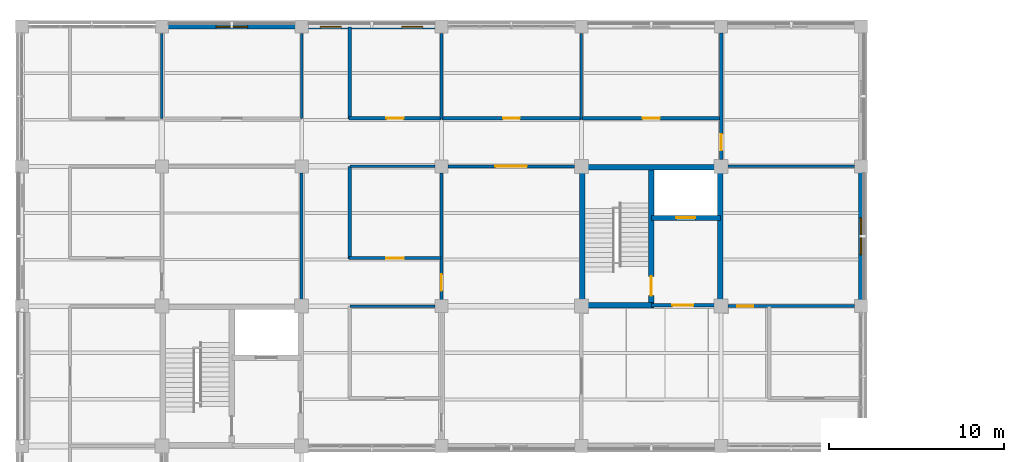
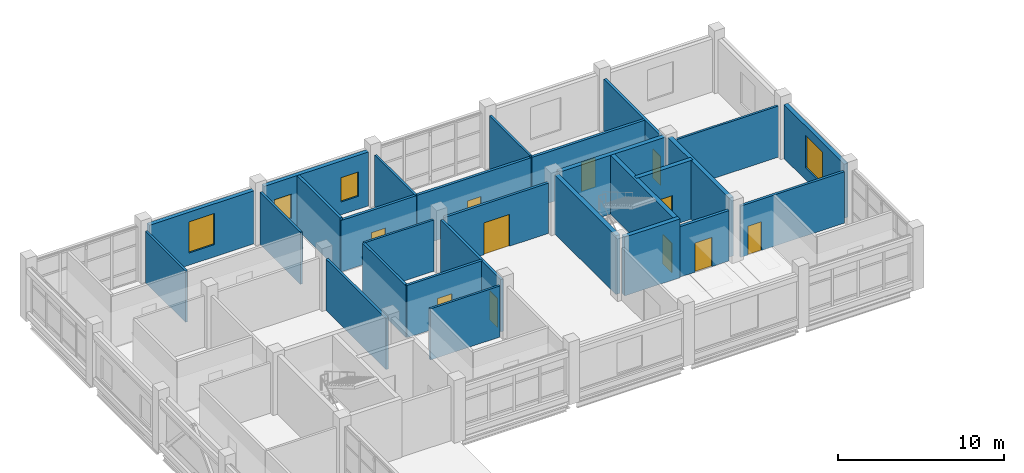
# One storey, part 87 of 121: 28 walls, 11 doors, 4 windows, 15 openings.
"""IFC4 building model written with IfcOpenShell, lengths in metres."""

import ifcopenshell
import ifcopenshell.guid

model = None  # the IFC model being written
_history = None  # IfcOwnerHistory: only IFC2X3 demands one
_inside = {}  # id of a spatial element -> (the spatial element, [elements in it])
_under = {}  # id of a project, library or spatial element -> (it, [spatial elements below it])
_declared = {}  # id of a project -> (the project, [libraries it declares])
_typed = {}  # id of a type object -> (the type object, [elements of that type])
_made_of = {}  # id of a material, layer set ... -> (it, [elements and type objects made of it])


def new_model(schema):
    """Start an empty IFC model of exactly this schema.

    Asked for "IFC4X3", IfcOpenShell would pick the latest addendum, in which some entities
    have other attributes; the version numbers below select the first issue.
    IFC2X3 requires an IfcOwnerHistory on every rooted entity: one is made here for all.
    """
    global model, _history
    if schema == "IFC4X3":
        model = ifcopenshell.file(schema_version=(4, 3, 0, 0))
    else:
        model = ifcopenshell.file(schema=schema)
    _inside.clear()
    _under.clear()
    _declared.clear()
    _typed.clear()
    _made_of.clear()
    _history = None
    if model.schema == "IFC2X3":
        org = make("IfcOrganization", Name="unknown")
        user = make(
            "IfcPersonAndOrganization",
            ThePerson=make("IfcPerson", FamilyName="unknown"),
            TheOrganization=org,
        )
        app = make(
            "IfcApplication",
            ApplicationDeveloper=org,
            Version="unknown",
            ApplicationFullName="unknown",
            ApplicationIdentifier="unknown",
        )
        _history = make(
            "IfcOwnerHistory",
            OwningUser=user,
            OwningApplication=app,
            ChangeAction="ADDED",
            CreationDate=0,
        )
    return model


def make(cls, **values):
    """One entity of the class cls with the attributes given. An attribute that is None is left unset."""
    return model.create_entity(
        cls, **{name: value for name, value in values.items() if value is not None}
    )


def rooted(cls, **values):
    """An entity with a GlobalId (a new one), such as an element, a storey or a relation."""
    return make(cls, GlobalId=ifcopenshell.guid.new(), OwnerHistory=_history, **values)


def si_unit(unit_type, name, prefix=None):
    """IfcSIUnit, for example si_unit("LENGTHUNIT", "METRE", prefix="MILLI")."""
    return make("IfcSIUnit", UnitType=unit_type, Prefix=prefix, Name=name)


def derived_unit(unit_type, elements):
    """IfcDerivedUnit: a product of units, each with its exponent."""
    return make(
        "IfcDerivedUnit",
        Elements=[
            make("IfcDerivedUnitElement", Unit=unit, Exponent=power)
            for unit, power in elements
        ],
        UnitType=unit_type,
    )


def assignment(units):
    """IfcUnitAssignment: the units of a project."""
    return None if units is None else make("IfcUnitAssignment", Units=units)


def point(xyz):
    """IfcCartesianPoint."""
    return None if xyz is None else make("IfcCartesianPoint", Coordinates=xyz)


def direction(xyz):
    """IfcDirection."""
    return None if xyz is None else make("IfcDirection", DirectionRatios=xyz)


def frame(location, z_axis=None, x_axis=None):
    """IfcAxis2Placement3D, a coordinate frame: its origin and axes. An axis left out is left unset."""
    return make(
        "IfcAxis2Placement3D",
        Location=point(location),
        Axis=direction(z_axis),
        RefDirection=direction(x_axis),
    )


def frame_2d(location, x_axis=None):
    """IfcAxis2Placement2D, a coordinate frame in the plane: its origin and x axis."""
    return make(
        "IfcAxis2Placement2D", Location=point(location), RefDirection=direction(x_axis)
    )


def origin():
    """The frame at (0, 0, 0) with its axes left unset."""
    return frame((0.0, 0.0, 0.0))


def place(relative_to, where):
    """IfcLocalPlacement: puts the frame where relative to a parent placement (None: the world)."""
    return make(
        "IfcLocalPlacement", PlacementRelTo=relative_to, RelativePlacement=where
    )


def context(
    kind, dimensions, precision=None, world=None, true_north=None, identifier=None
):
    """IfcGeometricRepresentationContext, for example the 3D "Model" context."""
    return make(
        "IfcGeometricRepresentationContext",
        ContextIdentifier=identifier,
        ContextType=kind,
        CoordinateSpaceDimension=dimensions,
        Precision=precision,
        WorldCoordinateSystem=world,
        TrueNorth=true_north,
    )


def subcontext(parent, identifier, kind, view, scale=None):
    """IfcGeometricRepresentationSubContext, for example "Body" below "Model"."""
    return make(
        "IfcGeometricRepresentationSubContext",
        ContextIdentifier=identifier,
        ContextType=kind,
        ParentContext=parent,
        TargetScale=scale,
        TargetView=view,
    )


def project(units=None, contexts=None):
    """IfcProject with its units and contexts."""
    return rooted(
        "IfcProject",
        Name="project",
        RepresentationContexts=contexts,
        UnitsInContext=assignment(units),
    )


def spatial(cls, under=None, at=None, **own):
    """A site, building, storey or space (cls), placed at a placement, below another one or the project."""
    s = rooted(cls, ObjectPlacement=at, **own)
    if under is not None:
        _under.setdefault(under.id(), (under, []))[1].append(s)
    return s


def profile(cls, at=None, kind="AREA", **sizes):
    """A parametric profile (cls). Its sizes go by their IFC names, for example OverallWidth=200.0."""
    return make(cls, ProfileType=kind, Position=at, **sizes)


def rectangle(**sizes):
    """IfcRectangleProfileDef."""
    return profile("IfcRectangleProfileDef", **sizes)


def extrude(swept, where, along, depth):
    """IfcExtrudedAreaSolid: the profile swept, set in the frame where, extruded along a direction by depth."""
    return make(
        "IfcExtrudedAreaSolid",
        SweptArea=swept,
        Position=where,
        ExtrudedDirection=direction(along),
        Depth=depth,
    )


def shape(context_of_items, identifier, shape_type, items):
    """IfcShapeRepresentation: the items that make up one representation, for example the "Body"."""
    return make(
        "IfcShapeRepresentation",
        ContextOfItems=context_of_items,
        RepresentationIdentifier=identifier,
        RepresentationType=shape_type,
        Items=items,
    )


def material(Name=None, Category=None):
    """IfcMaterial."""
    return make("IfcMaterial", Name=Name, Category=Category)


def layer(
    of_material, thickness, ventilated=None, Name=None, Category=None, Priority=None
):
    """IfcMaterialLayer: one layer of a wall or slab, of a material (None: an air gap)."""
    return make(
        "IfcMaterialLayer",
        Material=of_material,
        LayerThickness=thickness,
        IsVentilated=ventilated,
        Name=Name,
        Category=Category,
        Priority=Priority,
    )


def layer_set(layers, Name=None):
    """IfcMaterialLayerSet."""
    return make("IfcMaterialLayerSet", MaterialLayers=layers, LayerSetName=Name)


def made_of(thing, what):
    """Note that an element or type object is made of a material, layer set ...; save() writes the relation."""
    if what is not None:
        _made_of.setdefault(what.id(), (what, []))[1].append(thing)
    return thing


def type_object(cls, material=None, **own):
    """A type object (cls), such as IfcWallType, which elements share."""
    return made_of(rooted(cls, **own), material)


def element(
    cls,
    number,
    at=None,
    inside=None,
    cuts=None,
    type_object=None,
    material=None,
    context=None,
    identifier="Body",
    shape_type=None,
    held_by="IfcProductDefinitionShape",
    body=None,
    shapes=None,
    **own,
):
    """One element of the class cls, such as IfcWall. Its Tag is "e" and its number.

    at: its placement. inside: the storey or other place that contains it. cuts: it is an
    opening in that element (IfcRelVoidsElement). A single representation is given by context,
    identifier, shape_type and body (its items); several are given by shapes. held_by: the class
    of the entity that holds the representations. save() writes the other relations.
    """
    e = rooted(cls, Tag="e%d" % number, ObjectPlacement=at, **own)
    if body is not None:
        shapes = [shape(context, identifier, shape_type, body)]
    if shapes is not None:
        e.Representation = make(held_by, Representations=shapes)
    if inside is not None:
        _inside.setdefault(inside.id(), (inside, []))[1].append(e)
    if cuts is not None:
        rooted(
            "IfcRelVoidsElement", RelatingBuildingElement=cuts, RelatedOpeningElement=e
        )
    if type_object is not None:
        _typed.setdefault(type_object.id(), (type_object, []))[1].append(e)
    return made_of(e, material)


def fill(opening, filler):
    """IfcRelFillsElement: the door or window that sits in an opening."""
    return rooted(
        "IfcRelFillsElement",
        RelatingOpeningElement=opening,
        RelatedBuildingElement=filler,
    )


def aggregate(whole, parts):
    """IfcRelAggregates: a whole, such as a stair, and the parts it consists of."""
    return rooted("IfcRelAggregates", RelatingObject=whole, RelatedObjects=parts)


def save(model, path):
    """Write the relations noted so far, then the file.

    IfcRelAggregates (storeys below a building ...), IfcRelContainedInSpatialStructure (elements
    in a storey), IfcRelDefinesByType, IfcRelAssociatesMaterial and IfcRelDeclares: one each for
    every whole, place, type object, material and project.
    """
    for whole, parts in _under.values():
        aggregate(whole, parts)
    for where, things in _inside.values():
        rooted(
            "IfcRelContainedInSpatialStructure",
            RelatedElements=things,
            RelatingStructure=where,
        )
    for kind, things in _typed.values():
        rooted("IfcRelDefinesByType", RelatedObjects=things, RelatingType=kind)
    for what, things in _made_of.values():
        rooted("IfcRelAssociatesMaterial", RelatedObjects=things, RelatingMaterial=what)
    for by, libraries in _declared.values():
        rooted("IfcRelDeclares", RelatingContext=by, RelatedDefinitions=libraries)
    model.write(path)


model = new_model("IFC4")

# Units and contexts
model_context = context("Model", 3, precision=1e-05, world=origin(), true_north=direction((0.0, 1.0)))
body_context = subcontext(model_context, "Body", "Model", "MODEL_VIEW")
ifc_project = project(units=[si_unit("LENGTHUNIT", "METRE"), si_unit("AREAUNIT", "SQUARE_METRE"), si_unit("VOLUMEUNIT", "CUBIC_METRE"), si_unit("PLANEANGLEUNIT", "RADIAN"), si_unit("MASSUNIT", "GRAM", prefix="KILO"), derived_unit("THERMALTRANSMITTANCEUNIT", [(si_unit("MASSUNIT", "GRAM", prefix="KILO"), 1), (si_unit("TIMEUNIT", "SECOND"), -3), (si_unit("THERMODYNAMICTEMPERATUREUNIT", "KELVIN"), -1)])], contexts=[model_context])

# Site, building, storey
site_placement = place(None, origin())
site = spatial("IfcSite", under=ifc_project, at=site_placement, CompositionType="ELEMENT")
building_placement = place(site_placement, origin())
building = spatial("IfcBuilding", under=site, at=building_placement, Name="Veyamyaing Civic Hall", CompositionType="ELEMENT")
storey_placement = place(building_placement, frame((0.0, 0.0, 5.280029296875)))
storey = spatial("IfcBuildingStorey", under=building, at=storey_placement, Name="L01", CompositionType="ELEMENT", Elevation=5.280029296875)

# Wall, opening, window
ifc_material_1 = material(Name="Precast concrete C40/50", Category="concrete")
ifc_layer_1 = layer(ifc_material_1, 0.280029296875, Name="Precast concrete C40/50")
ifc_layer_set_1 = layer_set([ifc_layer_1], Name="Precast concrete C40/50")
wall_type_1 = type_object("IfcWallType", Name="WT-04", PredefinedType="SOLIDWALL", material=ifc_layer_set_1)
wall_1_placement = place(storey_placement, frame((8.360107421875, 112.0, 0.0), z_axis=(0.0, 0.0, 1.0), x_axis=(1.0, 0.0, 0.0)))
wall_1 = element("IfcWall", 1, at=wall_1_placement, inside=storey, type_object=wall_type_1, Name="Exterior facade wall WT-04 L01 N 2.14", PredefinedType="SOLIDWALL", context=body_context, shape_type="SweptSolid", body=[
    extrude(rectangle(XDim=7.27978515625, YDim=0.280029296875, at=frame_2d((3.639892578125, 0.0))), origin(), (0.0, 0.0, 1.0), 3.909912109375),
])
opening_1_placement = place(wall_1_placement, frame((2.739990234375, 0.0, 0.89990234375)))
opening_1 = element("IfcOpeningElement", 2, at=opening_1_placement, cuts=wall_1, Name="Opening W-06", PredefinedType="OPENING", context=body_context, shape_type="SweptSolid", body=[
    extrude(rectangle(XDim=1.800048828125, YDim=2.300048828125, at=frame_2d((0.89990234375, 1.14990234375))), frame((0.0, 0.14990234375, 0.0), z_axis=(0.0, -1.0, 0.0), x_axis=(1.0, 0.0, 0.0)), (0.0, 0.0, 1.0), 0.300048828125),
])
ifc_material_2 = material(Name="Low-E insulated glass", Category="glass")
window_type_1 = type_object("IfcWindowType", Name="W-06", PartitioningType="SINGLE_PANEL", PredefinedType="WINDOW", material=ifc_material_2)
window_1_placement = place(opening_1_placement, origin())
window_1 = element("IfcWindow", 3, at=window_1_placement, inside=storey, type_object=window_type_1, Name="Facade window W-06 L01 N 2.14", OverallHeight=2.300048828125, OverallWidth=1.800048828125, PartitioningType="SINGLE_PANEL", PredefinedType="WINDOW", context=body_context, shape_type="SweptSolid", body=[
    extrude(rectangle(XDim=1.800048828125, YDim=2.300048828125, at=frame_2d((0.89990234375, 1.14990234375))), frame((0.0, 0.030029296875, 0.0), z_axis=(0.0, -1.0, 0.0), x_axis=(1.0, 0.0, 0.0)), (0.0, 0.0, 1.0), 0.06005859375),
])
fill(opening_1, window_1)

# Wall, openings, windows
wall_2_placement = place(storey_placement, frame((16.360107421875, 112.0, 0.0), z_axis=(0.0, 0.0, 1.0), x_axis=(1.0, 0.0, 0.0)))
wall_2 = element("IfcWall", 4, at=wall_2_placement, inside=storey, type_object=wall_type_1, Name="Exterior facade wall WT-04 L01 N 3.14", PredefinedType="SOLIDWALL", context=body_context, shape_type="SweptSolid", body=[
    extrude(rectangle(XDim=7.27978515625, YDim=0.280029296875, at=frame_2d((3.639892578125, 0.0))), origin(), (0.0, 0.0, 1.0), 3.973876953125),
])
opening_2_placement = place(wall_2_placement, frame((0.71044921875, 0.0, 0.949951171875)))
opening_2 = element("IfcOpeningElement", 5, at=opening_2_placement, cuts=wall_2, Name="Opening W-14", PredefinedType="OPENING", context=body_context, shape_type="SweptSolid", body=[
    extrude(rectangle(XDim=1.199951171875, YDim=1.800048828125, at=frame_2d((0.60009765625, 0.89990234375))), frame((0.0, 0.14990234375, 0.0), z_axis=(0.0, -1.0, 0.0), x_axis=(1.0, 0.0, 0.0)), (0.0, 0.0, 1.0), 0.300048828125),
])
opening_3_placement = place(wall_2_placement, frame((5.36962890625, 0.0, 0.949951171875)))
opening_3 = element("IfcOpeningElement", 6, at=opening_3_placement, cuts=wall_2, Name="Opening W-14", PredefinedType="OPENING", context=body_context, shape_type="SweptSolid", body=[
    extrude(rectangle(XDim=1.199951171875, YDim=1.800048828125, at=frame_2d((0.60009765625, 0.89990234375))), frame((0.0, 0.14990234375, 0.0), z_axis=(0.0, -1.0, 0.0), x_axis=(1.0, 0.0, 0.0)), (0.0, 0.0, 1.0), 0.300048828125),
])
window_type_2 = type_object("IfcWindowType", Name="W-14", PartitioningType="SINGLE_PANEL", PredefinedType="WINDOW", material=ifc_material_2)
window_2_placement = place(opening_2_placement, origin())
window_2 = element("IfcWindow", 7, at=window_2_placement, inside=storey, type_object=window_type_2, Name="Facade window W-14 L01 N 3.14.1", OverallHeight=1.800048828125, OverallWidth=1.199951171875, PartitioningType="SINGLE_PANEL", PredefinedType="WINDOW", context=body_context, shape_type="SweptSolid", body=[
    extrude(rectangle(XDim=1.199951171875, YDim=1.800048828125, at=frame_2d((0.60009765625, 0.89990234375))), frame((0.0, 0.030029296875, 0.0), z_axis=(0.0, -1.0, 0.0), x_axis=(1.0, 0.0, 0.0)), (0.0, 0.0, 1.0), 0.06005859375),
])
fill(opening_2, window_2)
window_3_placement = place(opening_3_placement, origin())
window_3 = element("IfcWindow", 8, at=window_3_placement, inside=storey, type_object=window_type_2, Name="Facade window W-14 L01 N 3.14.2", OverallHeight=1.800048828125, OverallWidth=1.199951171875, PartitioningType="SINGLE_PANEL", PredefinedType="WINDOW", context=body_context, shape_type="SweptSolid", body=[
    extrude(rectangle(XDim=1.199951171875, YDim=1.800048828125, at=frame_2d((0.60009765625, 0.89990234375))), frame((0.0, 0.030029296875, 0.0), z_axis=(0.0, -1.0, 0.0), x_axis=(1.0, 0.0, 0.0)), (0.0, 0.0, 1.0), 0.06005859375),
])
fill(opening_3, window_3)

# Wall, opening, window
wall_3_placement = place(storey_placement, frame((48.0, 96.360107421875, 0.0), z_axis=(0.0, 0.0, 1.0), x_axis=(0.0, 1.0, 0.0)))
wall_3 = element("IfcWall", 9, at=wall_3_placement, inside=storey, type_object=wall_type_1, Name="Exterior facade wall WT-04 L01 E 6.13", PredefinedType="SOLIDWALL", context=body_context, shape_type="SweptSolid", body=[
    extrude(rectangle(XDim=7.27978515625, YDim=0.280029296875, at=frame_2d((3.639892578125, 0.0))), origin(), (0.0, 0.0, 1.0), 3.97705078125),
])
opening_4_placement = place(wall_3_placement, frame((2.590087890625, 0.0, 0.89990234375)))
opening_4 = element("IfcOpeningElement", 10, at=opening_4_placement, cuts=wall_3, Name="Opening W-05", PredefinedType="OPENING", context=body_context, shape_type="SweptSolid", body=[
    extrude(rectangle(XDim=2.10009765625, YDim=2.39990234375, at=frame_2d((1.050048828125, 1.199951171875))), frame((0.0, 0.14990234375, 0.0), z_axis=(0.0, -1.0, 0.0), x_axis=(1.0, 0.0, 0.0)), (0.0, 0.0, 1.0), 0.300048828125),
])
window_type_3 = type_object("IfcWindowType", Name="W-05", PartitioningType="SINGLE_PANEL", PredefinedType="WINDOW", material=ifc_material_2)
window_4_placement = place(opening_4_placement, origin())
window_4 = element("IfcWindow", 11, at=window_4_placement, inside=storey, type_object=window_type_3, Name="Facade window W-05 L01 E 6.13", OverallHeight=2.39990234375, OverallWidth=2.10009765625, PartitioningType="SINGLE_PANEL", PredefinedType="WINDOW", context=body_context, shape_type="SweptSolid", body=[
    extrude(rectangle(XDim=2.10009765625, YDim=2.39990234375, at=frame_2d((1.050048828125, 1.199951171875))), frame((0.0, 0.030029296875, 0.0), z_axis=(0.0, -1.0, 0.0), x_axis=(1.0, 0.0, 0.0)), (0.0, 0.0, 1.0), 0.06005859375),
])
fill(opening_4, window_4)

# Walls
ifc_material_3 = material(Name="Concrete C40/50", Category="concrete")
ifc_layer_2 = layer(ifc_material_3, 0.300048828125, Name="Concrete C40/50")
ifc_layer_set_2 = layer_set([ifc_layer_2], Name="Concrete C40/50")
wall_type_2 = type_object("IfcWallType", Name="WT-05", PredefinedType="SHEAR", material=ifc_layer_set_2)
for number, where, z_axis, x_axis, name in (
    (12, (32.050048828125, 96.2900390625, 0.0), (0.0, 0.0, 1.0), (0.0, 1.0, 0.0), "Core shear wall WT-05 CORE-2 L01.W"),
    (13, (32.2900390625, 103.949951171875, 0.0), (0.0, 0.0, 1.0), (1.0, 0.0, 0.0), "Core shear wall WT-05 CORE-2 L01.N"),
    (14, (39.949951171875, 96.2900390625, 0.0), (0.0, 0.0, 1.0), (0.0, 1.0, 0.0), "Core shear wall WT-05 CORE-2 L01.E"),
):
    element("IfcWall", number, at=place(storey_placement, frame(where, z_axis=z_axis, x_axis=x_axis)), inside=storey, type_object=wall_type_2, Name=name, PredefinedType="SHEAR", context=body_context, shape_type="SweptSolid", body=[
        extrude(rectangle(XDim=7.419921875, YDim=0.300048828125, at=frame_2d((3.7099609375, 0.0))), origin(), (0.0, 0.0, 1.0), 4.3349609375),
    ])
wall_4_placement = place(storey_placement, frame((32.2900390625, 96.050048828125, 0.0), z_axis=(0.0, 0.0, 1.0), x_axis=(1.0, 0.0, 0.0)))
element("IfcWall", 15, at=wall_4_placement, inside=storey, type_object=wall_type_2, Name="Core shear wall WT-05 CORE-2 L01.SS", PredefinedType="SHEAR", context=body_context, shape_type="SweptSolid", body=[
    extrude(rectangle(XDim=3.85986328125, YDim=0.300048828125, at=frame_2d((1.929931640625, 0.0))), origin(), (0.0, 0.0, 1.0), 4.3349609375),
])

# Wall, opening, door
wall_5_placement = place(storey_placement, frame((36.0, 96.050048828125, 0.0), z_axis=(0.0, 0.0, 1.0), x_axis=(0.0, 1.0, 0.0)))
wall_5 = element("IfcWall", 16, at=wall_5_placement, inside=storey, type_object=wall_type_2, Name="Core shear wall WT-05 CORE-2 L01.MID", PredefinedType="SHEAR", context=body_context, shape_type="SweptSolid", body=[
    extrude(rectangle(XDim=7.89990234375, YDim=0.300048828125, at=frame_2d((3.949951171875, 0.0))), origin(), (0.0, 0.0, 1.0), 4.3349609375),
])
opening_5_placement = place(wall_5_placement, frame((0.550048828125, 0.0, 0.0)))
opening_5 = element("IfcOpeningElement", 17, at=opening_5_placement, cuts=wall_5, Name="Opening D-03", PredefinedType="OPENING", context=body_context, shape_type="SweptSolid", body=[
    extrude(rectangle(XDim=1.10009765625, YDim=2.14990234375, at=frame_2d((0.550048828125, 1.074951171875))), frame((0.0, 0.159912109375, 0.0), z_axis=(0.0, -1.0, 0.0), x_axis=(1.0, 0.0, 0.0)), (0.0, 0.0, 1.0), 0.320068359375),
])
ifc_material_4 = material(Name="Galvanized steel S355J2", Category="steel")
door_type_1 = type_object("IfcDoorType", Name="D-03", OperationType="NOTDEFINED", PredefinedType="DOOR", material=ifc_material_4)
door_1_placement = place(opening_5_placement, origin())
door_1 = element("IfcDoor", 18, at=door_1_placement, inside=storey, type_object=door_type_1, Name="Exit stair fire door D-03 ST-02 L01", OperationType="SINGLE_SWING_LEFT", OverallHeight=2.14990234375, OverallWidth=1.10009765625, PredefinedType="DOOR", context=body_context, shape_type="SweptSolid", body=[
    extrude(rectangle(XDim=1.10009765625, YDim=2.14990234375, at=frame_2d((0.550048828125, 1.074951171875))), frame((0.0, 0.02490234375, 0.0), z_axis=(0.0, -1.0, 0.0), x_axis=(1.0, 0.0, 0.0)), (0.0, 0.0, 1.0), 0.050048828125),
])
fill(opening_5, door_1)

wall_6_placement = place(storey_placement, frame((36.0, 101.050048828125, 0.0), z_axis=(0.0, 0.0, 1.0), x_axis=(1.0, 0.0, 0.0)))
wall_6 = element("IfcWall", 19, at=wall_6_placement, inside=storey, type_object=wall_type_2, Name="Core shear wall WT-05 CORE-2 L01.LFT", PredefinedType="SHEAR", context=body_context, shape_type="SweptSolid", body=[
    extrude(rectangle(XDim=3.949951171875, YDim=0.300048828125, at=frame_2d((1.97509765625, 0.0))), origin(), (0.0, 0.0, 1.0), 4.3349609375),
])
opening_6_placement = place(wall_6_placement, frame((1.425048828125, 0.0, 0.0)))
opening_6 = element("IfcOpeningElement", 20, at=opening_6_placement, cuts=wall_6, Name="Opening LD-01", PredefinedType="OPENING", context=body_context, shape_type="SweptSolid", body=[
    extrude(rectangle(XDim=1.10009765625, YDim=2.199951171875, at=frame_2d((0.550048828125, 1.10009765625))), frame((0.0, 0.159912109375, 0.0), z_axis=(0.0, -1.0, 0.0), x_axis=(1.0, 0.0, 0.0)), (0.0, 0.0, 1.0), 0.320068359375),
])
ifc_material_5 = material(Name="Anodised aluminium 6063-T6", Category="aluminium")
door_type_2 = type_object("IfcDoorType", Name="LD-01", OperationType="SLIDING_TO_LEFT", PredefinedType="DOOR", material=ifc_material_5)
door_2_placement = place(opening_6_placement, origin())
door_2 = element("IfcDoor", 21, at=door_2_placement, inside=storey, type_object=door_type_2, Name="Lift sliding landing door LD-01 PL-01 L01", OperationType="SLIDING_TO_LEFT", OverallHeight=2.199951171875, OverallWidth=1.10009765625, PredefinedType="DOOR", context=body_context, shape_type="SweptSolid", body=[
    extrude(rectangle(XDim=1.10009765625, YDim=2.199951171875, at=frame_2d((0.550048828125, 1.10009765625))), frame((0.0, 0.02490234375, 0.0), z_axis=(0.0, -1.0, 0.0), x_axis=(1.0, 0.0, 0.0)), (0.0, 0.0, 1.0), 0.050048828125),
])
fill(opening_6, door_2)

ifc_layer_3 = layer(ifc_material_3, 0.199951171875, Name="Concrete C40/50")
ifc_layer_set_3 = layer_set([ifc_layer_3], Name="Concrete C40/50")
wall_type_3 = type_object("IfcWallType", Name="WT-06", PredefinedType="PARTITIONING", material=ifc_layer_set_3)
wall_7_placement = place(storey_placement, frame((36.0, 96.050048828125, 0.0), z_axis=(0.0, 0.0, 1.0), x_axis=(1.0, 0.0, 0.0)))
wall_7 = element("IfcWall", 22, at=wall_7_placement, inside=storey, type_object=wall_type_3, Name="Firefighting lift lobby wall WT-06 CORE-2 L01", PredefinedType="PARTITIONING", context=body_context, shape_type="SweptSolid", body=[
    extrude(rectangle(XDim=3.610107421875, YDim=0.199951171875, at=frame_2d((1.80517578125, 0.0))), origin(), (0.0, 0.0, 1.0), 3.7119140625),
])
opening_7_placement = place(wall_7_placement, frame((1.205078125, 0.0, 0.0)))
opening_7 = element("IfcOpeningElement", 23, at=opening_7_placement, cuts=wall_7, Name="Opening D-04", PredefinedType="OPENING", context=body_context, shape_type="SweptSolid", body=[
    extrude(rectangle(XDim=1.199951171875, YDim=2.14990234375, at=frame_2d((0.60009765625, 1.074951171875))), frame((0.0, 0.10986328125, 0.0), z_axis=(0.0, -1.0, 0.0), x_axis=(1.0, 0.0, 0.0)), (0.0, 0.0, 1.0), 0.219970703125),
])
door_type_3 = type_object("IfcDoorType", Name="D-04", OperationType="NOTDEFINED", PredefinedType="DOOR", material=ifc_material_4)
door_3_placement = place(opening_7_placement, frame((1.199951171875, 0.0, 0.0), z_axis=(0.0, 0.0, 1.0), x_axis=(-1.0, 0.0, 0.0)))
door_3 = element("IfcDoor", 24, at=door_3_placement, inside=storey, type_object=door_type_3, Name="Protected lobby fire door D-04 CORE-2 L01", OperationType="SINGLE_SWING_RIGHT", OverallHeight=2.14990234375, OverallWidth=1.199951171875, PredefinedType="DOOR", context=body_context, shape_type="SweptSolid", body=[
    extrude(rectangle(XDim=1.199951171875, YDim=2.14990234375, at=frame_2d((0.60009765625, 1.074951171875))), frame((0.0, 0.02490234375, 0.0), z_axis=(0.0, -1.0, 0.0), x_axis=(1.0, 0.0, 0.0)), (0.0, 0.0, 1.0), 0.050048828125),
])
fill(opening_7, door_3)

ifc_material_6 = material(Name="Gypsum board on acoustic steel stud", Category="steel")
ifc_layer_4 = layer(ifc_material_6, 0.175048828125, Name="Gypsum board on acoustic steel stud")
ifc_layer_set_4 = layer_set([ifc_layer_4], Name="Gypsum board on acoustic steel stud")
wall_type_4 = type_object("IfcWallType", Name="WT-07", PredefinedType="PARTITIONING", material=ifc_layer_set_4)
wall_8_placement = place(storey_placement, frame((18.699951171875, 98.75, 0.0), z_axis=(0.0, 0.0, 1.0), x_axis=(1.0, 0.0, 0.0)))
wall_8 = element("IfcWall", 25, at=wall_8_placement, inside=storey, type_object=wall_type_4, Name="Corridor gallery partition WT-07 L01.19.1", PredefinedType="PARTITIONING", context=body_context, shape_type="SweptSolid", body=[
    extrude(rectangle(XDim=5.280029296875, YDim=0.175048828125, at=frame_2d((2.64013671875, 0.0))), origin(), (0.0, 0.0, 1.0), 3.85107421875),
])
opening_8_placement = place(wall_8_placement, frame((2.139892578125, 0.0, 0.0)))
opening_8 = element("IfcOpeningElement", 26, at=opening_8_placement, cuts=wall_8, Name="Opening D-13", PredefinedType="OPENING", context=body_context, shape_type="SweptSolid", body=[
    extrude(rectangle(XDim=1.0, YDim=2.14990234375, at=frame_2d((0.5, 1.074951171875))), frame((0.0, 0.097412109375, 0.0), z_axis=(0.0, -1.0, 0.0), x_axis=(1.0, 0.0, 0.0)), (0.0, 0.0, 1.0), 0.195068359375),
])
ifc_material_7 = material(Name="Teak-veneered acoustic timber", Category="wood")
door_type_4 = type_object("IfcDoorType", Name="D-13", OperationType="NOTDEFINED", PredefinedType="DOOR", material=ifc_material_7)
door_4_placement = place(opening_8_placement, origin())
door_4 = element("IfcDoor", 27, at=door_4_placement, inside=storey, type_object=door_type_4, Name="Gallery office door D-13 L01.19", OperationType="SINGLE_SWING_LEFT", OverallHeight=2.14990234375, OverallWidth=1.0, PredefinedType="DOOR", context=body_context, shape_type="SweptSolid", body=[
    extrude(rectangle(XDim=1.0, YDim=2.14990234375, at=frame_2d((0.5, 1.074951171875))), frame((0.0, 0.02490234375, 0.0), z_axis=(0.0, -1.0, 0.0), x_axis=(1.0, 0.0, 0.0)), (0.0, 0.0, 1.0), 0.050048828125),
])
fill(opening_8, door_4)

# Walls
wall_9_placement = place(storey_placement, frame((18.75, 98.699951171875, 0.0), z_axis=(0.0, 0.0, 1.0), x_axis=(0.0, 1.0, 0.0)))
element("IfcWall", 28, at=wall_9_placement, inside=storey, type_object=wall_type_4, Name="Corridor gallery partition WT-07 L01.19.2", PredefinedType="PARTITIONING", context=body_context, shape_type="SweptSolid", body=[
    extrude(rectangle(XDim=5.280029296875, YDim=0.175048828125, at=frame_2d((2.64013671875, 0.0))), origin(), (0.0, 0.0, 1.0), 3.781005859375),
])
wall_10_placement = place(storey_placement, frame((16.0, 96.389892578125, 0.0), z_axis=(0.0, 0.0, 1.0), x_axis=(0.0, 1.0, 0.0)))
element("IfcWall", 29, at=wall_10_placement, inside=storey, type_object=wall_type_4, Name="Interior partition wall WT-07 L01.13", PredefinedType="PARTITIONING", context=body_context, shape_type="SweptSolid", body=[
    extrude(rectangle(XDim=7.2451171875, YDim=0.175048828125, at=frame_2d((3.62255859375, 0.0))), origin(), (0.0, 0.0, 1.0), 3.781005859375),
])

# Wall, opening, door
wall_11_placement = place(storey_placement, frame((24.0, 96.364990234375, 0.0), z_axis=(0.0, 0.0, 1.0), x_axis=(0.0, 1.0, 0.0)))
wall_11 = element("IfcWall", 30, at=wall_11_placement, inside=storey, type_object=wall_type_4, Name="Interior partition wall WT-07 L01.17", PredefinedType="PARTITIONING", context=body_context, shape_type="SweptSolid", body=[
    extrude(rectangle(XDim=7.27001953125, YDim=0.175048828125, at=frame_2d((3.635009765625, 0.0))), origin(), (0.0, 0.0, 1.0), 3.85107421875),
])
opening_9_placement = place(wall_11_placement, frame((0.52001953125, 0.0, 0.0)))
opening_9 = element("IfcOpeningElement", 31, at=opening_9_placement, cuts=wall_11, Name="Opening D-30", PredefinedType="OPENING", context=body_context, shape_type="SweptSolid", body=[
    extrude(rectangle(XDim=0.93994140625, YDim=2.1201171875, at=frame_2d((0.469970703125, 1.06005859375))), frame((0.0, 0.097412109375, 0.0), z_axis=(0.0, -1.0, 0.0), x_axis=(1.0, 0.0, 0.0)), (0.0, 0.0, 1.0), 0.195068359375),
])
door_type_5 = type_object("IfcDoorType", Name="D-30", OperationType="NOTDEFINED", PredefinedType="DOOR", material=ifc_material_7)
door_5_placement = place(opening_9_placement, frame((0.93994140625, 0.0, 0.0), z_axis=(0.0, 0.0, 1.0), x_axis=(-1.0, 0.0, 0.0)))
door_5 = element("IfcDoor", 32, at=door_5_placement, inside=storey, type_object=door_type_5, Name="Interior door D-30 L01.17", OperationType="SINGLE_SWING_LEFT", OverallHeight=2.1201171875, OverallWidth=0.93994140625, PredefinedType="DOOR", context=body_context, shape_type="SweptSolid", body=[
    extrude(rectangle(XDim=0.93994140625, YDim=2.1201171875, at=frame_2d((0.469970703125, 1.06005859375))), frame((0.0, 0.02490234375, 0.0), z_axis=(0.0, -1.0, 0.0), x_axis=(1.0, 0.0, 0.0)), (0.0, 0.0, 1.0), 0.050048828125),
])
fill(opening_9, door_5)

wall_12_placement = place(storey_placement, frame((24.364990234375, 104.0, 0.0), z_axis=(0.0, 0.0, 1.0), x_axis=(1.0, 0.0, 0.0)))
wall_12 = element("IfcWall", 33, at=wall_12_placement, inside=storey, type_object=wall_type_4, Name="Interior partition wall WT-07 L01.19", PredefinedType="PARTITIONING", context=body_context, shape_type="SweptSolid", body=[
    extrude(rectangle(XDim=7.2451171875, YDim=0.175048828125, at=frame_2d((3.62255859375, 0.0))), origin(), (0.0, 0.0, 1.0), 3.7119140625),
])
opening_10_placement = place(wall_12_placement, frame((2.722412109375, 0.0, 0.0)))
opening_10 = element("IfcOpeningElement", 34, at=opening_10_placement, cuts=wall_12, Name="Opening D-08", PredefinedType="OPENING", context=body_context, shape_type="SweptSolid", body=[
    extrude(rectangle(XDim=1.800048828125, YDim=2.35009765625, at=frame_2d((0.89990234375, 1.175048828125))), frame((0.0, 0.097412109375, 0.0), z_axis=(0.0, -1.0, 0.0), x_axis=(1.0, 0.0, 0.0)), (0.0, 0.0, 1.0), 0.195068359375),
])
door_type_6 = type_object("IfcDoorType", Name="D-08", OperationType="DOUBLE_DOOR_SINGLE_SWING", PredefinedType="DOOR", material=ifc_material_7)
door_6_placement = place(opening_10_placement, frame((1.800048828125, 0.0, 0.0), z_axis=(0.0, 0.0, 1.0), x_axis=(-1.0, 0.0, 0.0)))
door_6 = element("IfcDoor", 35, at=door_6_placement, inside=storey, type_object=door_type_6, Name="Interior door D-08 L01.19", OperationType="DOUBLE_DOOR_SINGLE_SWING", OverallHeight=2.35009765625, OverallWidth=1.800048828125, PredefinedType="DOOR", context=body_context, shape_type="SweptSolid", body=[
    extrude(rectangle(XDim=1.800048828125, YDim=2.35009765625, at=frame_2d((0.89990234375, 1.175048828125))), frame((0.0, 0.02490234375, 0.0), z_axis=(0.0, -1.0, 0.0), x_axis=(1.0, 0.0, 0.0)), (0.0, 0.0, 1.0), 0.050048828125),
])
fill(opening_10, door_6)

wall_13_placement = place(storey_placement, frame((40.389892578125, 96.0, 0.0), z_axis=(0.0, 0.0, 1.0), x_axis=(1.0, 0.0, 0.0)))
wall_13 = element("IfcWall", 36, at=wall_13_placement, inside=storey, type_object=wall_type_4, Name="Interior partition wall WT-07 L01.21", PredefinedType="PARTITIONING", context=body_context, shape_type="SweptSolid", body=[
    extrude(rectangle(XDim=7.2451171875, YDim=0.175048828125, at=frame_2d((3.62255859375, 0.0))), origin(), (0.0, 0.0, 1.0), 3.786865234375),
])
opening_11_placement = place(wall_13_placement, frame((0.52001953125, 0.0, 0.0)))
opening_11 = element("IfcOpeningElement", 37, at=opening_11_placement, cuts=wall_13, Name="Opening D-30", PredefinedType="OPENING", context=body_context, shape_type="SweptSolid", body=[
    extrude(rectangle(XDim=0.93994140625, YDim=2.1201171875, at=frame_2d((0.469970703125, 1.06005859375))), frame((0.0, 0.097412109375, 0.0), z_axis=(0.0, -1.0, 0.0), x_axis=(1.0, 0.0, 0.0)), (0.0, 0.0, 1.0), 0.195068359375),
])
door_7_placement = place(opening_11_placement, origin())
door_7 = element("IfcDoor", 38, at=door_7_placement, inside=storey, type_object=door_type_5, Name="Interior door D-30 L01.21", OperationType="SINGLE_SWING_LEFT", OverallHeight=2.1201171875, OverallWidth=0.93994140625, PredefinedType="DOOR", context=body_context, shape_type="SweptSolid", body=[
    extrude(rectangle(XDim=0.93994140625, YDim=2.1201171875, at=frame_2d((0.469970703125, 1.06005859375))), frame((0.0, 0.02490234375, 0.0), z_axis=(0.0, -1.0, 0.0), x_axis=(1.0, 0.0, 0.0)), (0.0, 0.0, 1.0), 0.050048828125),
])
fill(opening_11, door_7)

# Walls
ifc_material_8 = material(Name="Gypsum board on steel stud", Category="steel")
ifc_layer_5 = layer(ifc_material_8, 0.14990234375, Name="Gypsum board on steel stud")
ifc_layer_set_5 = layer_set([ifc_layer_5], Name="Gypsum board on steel stud")
wall_type_5 = type_object("IfcWallType", Name="WT-08", PredefinedType="PARTITIONING", material=ifc_layer_set_5)
wall_14_placement = place(storey_placement, frame((8.0, 106.75, 0.0), z_axis=(0.0, 0.0, 1.0), x_axis=(0.0, 1.0, 0.0)))
element("IfcWall", 39, at=wall_14_placement, inside=storey, type_object=wall_type_5, Name="Gallery office end partition WT-08 L01.11.2", PredefinedType="PARTITIONING", context=body_context, shape_type="SweptSolid", body=[
    extrude(rectangle(XDim=4.864990234375, YDim=0.14990234375, at=frame_2d((2.4326171875, 0.0))), origin(), (0.0, 0.0, 1.0), 3.781005859375),
])
wall_15_placement = place(storey_placement, frame((16.0, 106.75, 0.0), z_axis=(0.0, 0.0, 1.0), x_axis=(0.0, 1.0, 0.0)))
element("IfcWall", 40, at=wall_15_placement, inside=storey, type_object=wall_type_5, Name="Gallery office end partition WT-08 L01.15.2", PredefinedType="PARTITIONING", context=body_context, shape_type="SweptSolid", body=[
    extrude(rectangle(XDim=4.864990234375, YDim=0.14990234375, at=frame_2d((2.4326171875, 0.0))), origin(), (0.0, 0.0, 1.0), 3.85107421875),
])
wall_16_placement = place(storey_placement, frame((18.75, 96.0, 0.0), z_axis=(0.0, 0.0, 1.0), x_axis=(1.0, 0.0, 0.0)))
element("IfcWall", 41, at=wall_16_placement, inside=storey, type_object=wall_type_5, Name="Gallery office end partition WT-08 L01.18.1", PredefinedType="PARTITIONING", context=body_context, shape_type="SweptSolid", body=[
    extrude(rectangle(XDim=4.864990234375, YDim=0.14990234375, at=frame_2d((2.4326171875, 0.0))), origin(), (0.0, 0.0, 1.0), 3.77099609375),
])
wall_17_placement = place(storey_placement, frame((18.75, 104.0, 0.0), z_axis=(0.0, 0.0, 1.0), x_axis=(1.0, 0.0, 0.0)))
element("IfcWall", 42, at=wall_17_placement, inside=storey, type_object=wall_type_5, Name="Gallery office end partition WT-08 L01.19.1", PredefinedType="PARTITIONING", context=body_context, shape_type="SweptSolid", body=[
    extrude(rectangle(XDim=4.864990234375, YDim=0.14990234375, at=frame_2d((2.4326171875, 0.0))), origin(), (0.0, 0.0, 1.0), 3.781005859375),
])
wall_18_placement = place(storey_placement, frame((24.0, 106.75, 0.0), z_axis=(0.0, 0.0, 1.0), x_axis=(0.0, 1.0, 0.0)))
element("IfcWall", 43, at=wall_18_placement, inside=storey, type_object=wall_type_5, Name="Gallery office end partition WT-08 L01.20.2", PredefinedType="PARTITIONING", context=body_context, shape_type="SweptSolid", body=[
    extrude(rectangle(XDim=4.864990234375, YDim=0.14990234375, at=frame_2d((2.4326171875, 0.0))), origin(), (0.0, 0.0, 1.0), 3.786865234375),
])
wall_19_placement = place(storey_placement, frame((32.0, 106.75, 0.0), z_axis=(0.0, 0.0, 1.0), x_axis=(0.0, 1.0, 0.0)))
element("IfcWall", 44, at=wall_19_placement, inside=storey, type_object=wall_type_5, Name="Gallery office end partition WT-08 L01.24.2", PredefinedType="PARTITIONING", context=body_context, shape_type="SweptSolid", body=[
    extrude(rectangle(XDim=4.864990234375, YDim=0.14990234375, at=frame_2d((2.4326171875, 0.0))), origin(), (0.0, 0.0, 1.0), 3.90185546875),
])
wall_20_placement = place(storey_placement, frame((40.389892578125, 104.0, 0.0), z_axis=(0.0, 0.0, 1.0), x_axis=(1.0, 0.0, 0.0)))
element("IfcWall", 45, at=wall_20_placement, inside=storey, type_object=wall_type_5, Name="Interior partition wall WT-08 L01.22", PredefinedType="PARTITIONING", context=body_context, shape_type="SweptSolid", body=[
    extrude(rectangle(XDim=7.2451171875, YDim=0.14990234375, at=frame_2d((3.62255859375, 0.0))), origin(), (0.0, 0.0, 1.0), 3.77099609375),
])

# Wall, opening, door
ifc_material_9 = material(Name="Gypsum board on double acoustic stud")
ifc_layer_6 = layer(ifc_material_9, 0.18505859375, Name="Gypsum board on double acoustic stud")
ifc_layer_set_6 = layer_set([ifc_layer_6], Name="Gypsum board on double acoustic stud")
wall_type_6 = type_object("IfcWallType", Name="WT-19", PredefinedType="PARTITIONING", material=ifc_layer_set_6)
wall_21_placement = place(storey_placement, frame((18.699951171875, 106.75, 0.0), z_axis=(0.0, 0.0, 1.0), x_axis=(1.0, 0.0, 0.0)))
wall_21 = element("IfcWall", 46, at=wall_21_placement, inside=storey, type_object=wall_type_6, Name="Corridor gallery partition WT-19 L01.20.1", PredefinedType="PARTITIONING", context=body_context, shape_type="SweptSolid", body=[
    extrude(rectangle(XDim=5.280029296875, YDim=0.18505859375, at=frame_2d((2.64013671875, 0.0))), origin(), (0.0, 0.0, 1.0), 3.786865234375),
])
opening_12_placement = place(wall_21_placement, frame((2.14990234375, 0.0, 0.0)))
opening_12 = element("IfcOpeningElement", 47, at=opening_12_placement, cuts=wall_21, Name="Opening D-14", PredefinedType="OPENING", context=body_context, shape_type="SweptSolid", body=[
    extrude(rectangle(XDim=0.97998046875, YDim=2.14990234375, at=frame_2d((0.489990234375, 1.074951171875))), frame((0.0, 0.1025390625, 0.0), z_axis=(0.0, -1.0, 0.0), x_axis=(1.0, 0.0, 0.0)), (0.0, 0.0, 1.0), 0.205078125),
])
door_type_7 = type_object("IfcDoorType", Name="D-14", OperationType="NOTDEFINED", PredefinedType="DOOR", material=ifc_material_7)
door_8_placement = place(opening_12_placement, origin())
door_8 = element("IfcDoor", 48, at=door_8_placement, inside=storey, type_object=door_type_7, Name="Gallery office door D-14 L01.20", OperationType="SINGLE_SWING_RIGHT", OverallHeight=2.14990234375, OverallWidth=0.97998046875, PredefinedType="DOOR", context=body_context, shape_type="SweptSolid", body=[
    extrude(rectangle(XDim=0.97998046875, YDim=2.14990234375, at=frame_2d((0.489990234375, 1.074951171875))), frame((0.0, 0.02490234375, 0.0), z_axis=(0.0, -1.0, 0.0), x_axis=(1.0, 0.0, 0.0)), (0.0, 0.0, 1.0), 0.050048828125),
])
fill(opening_12, door_8)

# Wall
wall_22_placement = place(storey_placement, frame((18.75, 106.699951171875, 0.0), z_axis=(0.0, 0.0, 1.0), x_axis=(0.0, 1.0, 0.0)))
element("IfcWall", 49, at=wall_22_placement, inside=storey, type_object=wall_type_6, Name="Corridor gallery partition WT-19 L01.20.2", PredefinedType="PARTITIONING", context=body_context, shape_type="SweptSolid", body=[
    extrude(rectangle(XDim=5.280029296875, YDim=0.18505859375, at=frame_2d((2.64013671875, 0.0))), origin(), (0.0, 0.0, 1.0), 3.967041015625),
])

# Wall, opening, door
wall_23_placement = place(storey_placement, frame((24.02001953125, 106.75, 0.0), z_axis=(0.0, 0.0, 1.0), x_axis=(1.0, 0.0, 0.0)))
wall_23 = element("IfcWall", 50, at=wall_23_placement, inside=storey, type_object=wall_type_6, Name="Corridor gallery partition WT-19 L01.24.1", PredefinedType="PARTITIONING", context=body_context, shape_type="SweptSolid", body=[
    extrude(rectangle(XDim=7.9599609375, YDim=0.18505859375, at=frame_2d((3.97998046875, 0.0))), origin(), (0.0, 0.0, 1.0), 3.786865234375),
])
opening_13_placement = place(wall_23_placement, frame((3.5, 0.0, 0.0)))
opening_13 = element("IfcOpeningElement", 51, at=opening_13_placement, cuts=wall_23, Name="Opening D-25", PredefinedType="OPENING", context=body_context, shape_type="SweptSolid", body=[
    extrude(rectangle(XDim=0.9599609375, YDim=2.139892578125, at=frame_2d((0.47998046875, 1.06982421875))), frame((0.0, 0.1025390625, 0.0), z_axis=(0.0, -1.0, 0.0), x_axis=(1.0, 0.0, 0.0)), (0.0, 0.0, 1.0), 0.205078125),
])
door_type_8 = type_object("IfcDoorType", Name="D-25", OperationType="NOTDEFINED", PredefinedType="DOOR", material=ifc_material_7)
door_9_placement = place(opening_13_placement, origin())
door_9 = element("IfcDoor", 52, at=door_9_placement, inside=storey, type_object=door_type_8, Name="Gallery office door D-25 L01.24", OperationType="SINGLE_SWING_RIGHT", OverallHeight=2.139892578125, OverallWidth=0.9599609375, PredefinedType="DOOR", context=body_context, shape_type="SweptSolid", body=[
    extrude(rectangle(XDim=0.9599609375, YDim=2.139892578125, at=frame_2d((0.47998046875, 1.06982421875))), frame((0.0, 0.02490234375, 0.0), z_axis=(0.0, -1.0, 0.0), x_axis=(1.0, 0.0, 0.0)), (0.0, 0.0, 1.0), 0.050048828125),
])
fill(opening_13, door_9)

wall_24_placement = place(storey_placement, frame((32.02001953125, 106.75, 0.0), z_axis=(0.0, 0.0, 1.0), x_axis=(1.0, 0.0, 0.0)))
wall_24 = element("IfcWall", 53, at=wall_24_placement, inside=storey, type_object=wall_type_6, Name="Corridor gallery partition WT-19 L01.30.1", PredefinedType="PARTITIONING", context=body_context, shape_type="SweptSolid", body=[
    extrude(rectangle(XDim=7.9599609375, YDim=0.18505859375, at=frame_2d((3.97998046875, 0.0))), origin(), (0.0, 0.0, 1.0), 3.781005859375),
])
opening_14_placement = place(wall_24_placement, frame((3.489990234375, 0.0, 0.0)))
opening_14 = element("IfcOpeningElement", 54, at=opening_14_placement, cuts=wall_24, Name="Opening D-14", PredefinedType="OPENING", context=body_context, shape_type="SweptSolid", body=[
    extrude(rectangle(XDim=0.97998046875, YDim=2.14990234375, at=frame_2d((0.489990234375, 1.074951171875))), frame((0.0, 0.1025390625, 0.0), z_axis=(0.0, -1.0, 0.0), x_axis=(1.0, 0.0, 0.0)), (0.0, 0.0, 1.0), 0.205078125),
])
door_10_placement = place(opening_14_placement, origin())
door_10 = element("IfcDoor", 55, at=door_10_placement, inside=storey, type_object=door_type_7, Name="Gallery office door D-14 L01.30", OperationType="SINGLE_SWING_RIGHT", OverallHeight=2.14990234375, OverallWidth=0.97998046875, PredefinedType="DOOR", context=body_context, shape_type="SweptSolid", body=[
    extrude(rectangle(XDim=0.97998046875, YDim=2.14990234375, at=frame_2d((0.489990234375, 1.074951171875))), frame((0.0, 0.02490234375, 0.0), z_axis=(0.0, -1.0, 0.0), x_axis=(1.0, 0.0, 0.0)), (0.0, 0.0, 1.0), 0.050048828125),
])
fill(opening_14, door_10)

wall_25_placement = place(storey_placement, frame((40.0, 104.389892578125, 0.0), z_axis=(0.0, 0.0, 1.0), x_axis=(0.0, 1.0, 0.0)))
wall_25 = element("IfcWall", 56, at=wall_25_placement, inside=storey, type_object=wall_type_6, Name="Interior partition wall WT-19 L01.20", PredefinedType="PARTITIONING", context=body_context, shape_type="SweptSolid", body=[
    extrude(rectangle(XDim=7.2451171875, YDim=0.18505859375, at=frame_2d((3.62255859375, 0.0))), origin(), (0.0, 0.0, 1.0), 3.781005859375),
])
opening_15_placement = place(wall_25_placement, frame((0.52001953125, 0.0, 0.0)))
opening_15 = element("IfcOpeningElement", 57, at=opening_15_placement, cuts=wall_25, Name="Opening D-30", PredefinedType="OPENING", context=body_context, shape_type="SweptSolid", body=[
    extrude(rectangle(XDim=0.93994140625, YDim=2.1201171875, at=frame_2d((0.469970703125, 1.06005859375))), frame((0.0, 0.1025390625, 0.0), z_axis=(0.0, -1.0, 0.0), x_axis=(1.0, 0.0, 0.0)), (0.0, 0.0, 1.0), 0.205078125),
])
door_11_placement = place(opening_15_placement, frame((0.93994140625, 0.0, 0.0), z_axis=(0.0, 0.0, 1.0), x_axis=(-1.0, 0.0, 0.0)))
door_11 = element("IfcDoor", 58, at=door_11_placement, inside=storey, type_object=door_type_5, Name="Interior door D-30 L01.20", OperationType="SINGLE_SWING_RIGHT", OverallHeight=2.1201171875, OverallWidth=0.93994140625, PredefinedType="DOOR", context=body_context, shape_type="SweptSolid", body=[
    extrude(rectangle(XDim=0.93994140625, YDim=2.1201171875, at=frame_2d((0.469970703125, 1.06005859375))), frame((0.0, 0.02490234375, 0.0), z_axis=(0.0, -1.0, 0.0), x_axis=(1.0, 0.0, 0.0)), (0.0, 0.0, 1.0), 0.050048828125),
])
fill(opening_15, door_11)

save(model, "model.ifc")
